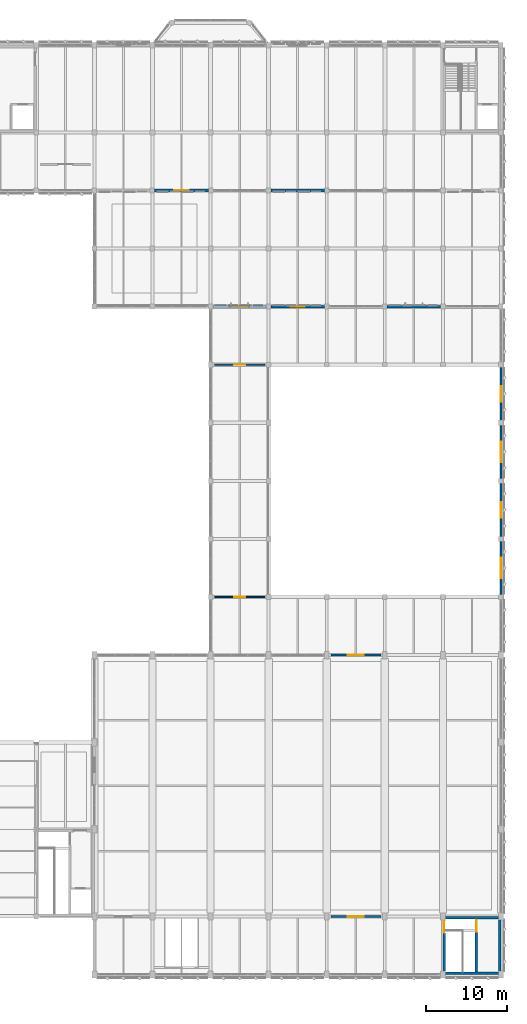
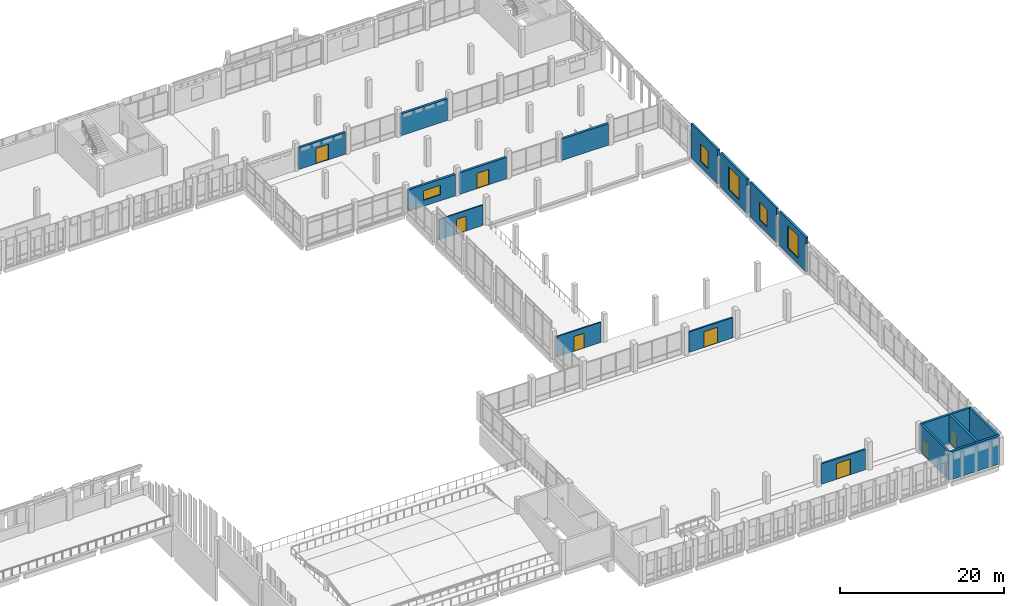
# One storey, part 136 of 158: 18 walls, 8 doors, 5 windows, 13 openings.
"""IFC4 building model written with IfcOpenShell, lengths in metres."""

from ifc_helpers import new_model, si_unit, direction, frame, frame_2d, origin, place, context, subcontext, project, spatial, rectangle, extrude, material, layer, layer_set, type_object, element, fill, save


model = new_model("IFC4")

# Units and contexts
model_context = context("Model", 3, precision=1e-05, world=origin(), true_north=direction((0.0, 1.0)))
body_context = subcontext(model_context, "Body", "Model", "MODEL_VIEW")
ifc_project = project(units=[si_unit("LENGTHUNIT", "METRE"), si_unit("AREAUNIT", "SQUARE_METRE"), si_unit("VOLUMEUNIT", "CUBIC_METRE"), si_unit("PLANEANGLEUNIT", "RADIAN"), si_unit("MASSUNIT", "GRAM", prefix="KILO")], contexts=[model_context])

# Site, building, storey
site_placement = place(None, origin())
site = spatial("IfcSite", under=ifc_project, at=site_placement, CompositionType="ELEMENT")
building_placement = place(site_placement, origin())
building = spatial("IfcBuilding", under=site, at=building_placement, Name="Lusvemor Sports Hall", CompositionType="ELEMENT")
storey_placement = place(building_placement, frame((0.0, 0.0, 10.800048828125)))
storey = spatial("IfcBuildingStorey", under=building, at=storey_placement, Name="L02", CompositionType="ELEMENT", Elevation=10.800048828125)

# Wall, opening, window
ifc_material_1 = material(Name="Emerald polychrome glazed ceramic cladding on Concrete C40/50 backing", Category="concrete")
ifc_layer_1 = layer(ifc_material_1, 0.2900390625)
ifc_layer_set_1 = layer_set([ifc_layer_1], Name="Emerald polychrome glazed ceramic cladding on Concrete C40/50 backing")
wall_type_1 = type_object("IfcWallType", Name="EW_CLIMB_290", PredefinedType="STANDARD", material=ifc_layer_set_1)
wall_1_placement = place(storey_placement, frame((169.199951171875, 53.68408203125, 0.0), z_axis=(0.0, 0.0, 1.0), x_axis=(0.0, -1.0, 0.0)))
wall_1 = element("IfcWall", 1, at=wall_1_placement, inside=storey, type_object=wall_type_1, Name="Exterior Wall EW-V3E-L02-0", PredefinedType="STANDARD", context=body_context, shape_type="SweptSolid", body=[
    extrude(rectangle(XDim=6.568115234375, YDim=0.2900390625, at=frame_2d((3.2841796875, 0.0))), origin(), (0.0, 0.0, 1.0), 5.159423828125),
])
opening_1_placement = place(wall_1_placement, frame((2.02392578125, 0.0, 0.89990234375)))
opening_1 = element("IfcOpeningElement", 2, at=opening_1_placement, cuts=wall_1, Name="Opening WN22", PredefinedType="OPENING", context=body_context, shape_type="SweptSolid", body=[
    extrude(rectangle(XDim=2.52001953125, YDim=3.320068359375, at=frame_2d((1.260009765625, 1.66015625))), frame((0.0, 0.14501953125, 0.0), z_axis=(0.0, -1.0, 0.0), x_axis=(1.0, 0.0, 0.0)), (0.0, 0.0, 1.0), 0.2900390625),
])
ifc_material_2 = material(Name="Solar-control laminated double glazing", Category="glass")
window_type_1 = type_object("IfcWindowType", Name="WIN_22", PartitioningType="SINGLE_PANEL", PredefinedType="WINDOW", material=ifc_material_2)
window_1_placement = place(opening_1_placement, origin())
window_1 = element("IfcWindow", 3, at=window_1_placement, inside=storey, type_object=window_type_1, Name="Climbing Hall East Window L02-0", OverallHeight=3.320068359375, OverallWidth=2.52001953125, PartitioningType="SINGLE_PANEL", PredefinedType="WINDOW", context=body_context, shape_type="SweptSolid", body=[
    extrude(rectangle(XDim=2.52001953125, YDim=3.320068359375, at=frame_2d((1.260009765625, 1.66015625))), frame((0.0, 0.030029296875, 0.0), z_axis=(0.0, -1.0, 0.0), x_axis=(1.0, 0.0, 0.0)), (0.0, 0.0, 1.0), 0.06005859375),
])
fill(opening_1, window_1)

wall_2_placement = place(storey_placement, frame((169.199951171875, 60.884033203125, 0.0), z_axis=(0.0, 0.0, 1.0), x_axis=(0.0, -1.0, 0.0)))
wall_2 = element("IfcWall", 4, at=wall_2_placement, inside=storey, type_object=wall_type_1, Name="Exterior Wall EW-V3E-L02-1", PredefinedType="STANDARD", context=body_context, shape_type="SweptSolid", body=[
    extrude(rectangle(XDim=6.568115234375, YDim=0.2900390625, at=frame_2d((3.2841796875, 0.0))), origin(), (0.0, 0.0, 1.0), 5.159423828125),
])
opening_2_placement = place(wall_2_placement, frame((2.323974609375, 0.0, 0.89990234375)))
opening_2 = element("IfcOpeningElement", 5, at=opening_2_placement, cuts=wall_2, Name="Opening WN23", PredefinedType="OPENING", context=body_context, shape_type="SweptSolid", body=[
    extrude(rectangle(XDim=1.919921875, YDim=2.6201171875, at=frame_2d((0.9599609375, 1.31005859375))), frame((0.0, 0.14501953125, 0.0), z_axis=(0.0, -1.0, 0.0), x_axis=(1.0, 0.0, 0.0)), (0.0, 0.0, 1.0), 0.2900390625),
])
ifc_material_3 = material(Name="Solar-control laminated double glazing", Category="glass")
window_type_2 = type_object("IfcWindowType", Name="WIN_23", PartitioningType="SINGLE_PANEL", PredefinedType="WINDOW", material=ifc_material_3)
window_2_placement = place(opening_2_placement, origin())
window_2 = element("IfcWindow", 6, at=window_2_placement, inside=storey, type_object=window_type_2, Name="Climbing Hall East Window L02-1", OverallHeight=2.6201171875, OverallWidth=1.919921875, PartitioningType="SINGLE_PANEL", PredefinedType="WINDOW", context=body_context, shape_type="SweptSolid", body=[
    extrude(rectangle(XDim=1.919921875, YDim=2.6201171875, at=frame_2d((0.9599609375, 1.31005859375))), frame((0.0, 0.030029296875, 0.0), z_axis=(0.0, -1.0, 0.0), x_axis=(1.0, 0.0, 0.0)), (0.0, 0.0, 1.0), 0.06005859375),
])
fill(opening_2, window_2)

wall_3_placement = place(storey_placement, frame((169.199951171875, 68.083984375, 0.0), z_axis=(0.0, 0.0, 1.0), x_axis=(0.0, -1.0, 0.0)))
wall_3 = element("IfcWall", 7, at=wall_3_placement, inside=storey, type_object=wall_type_1, Name="Exterior Wall EW-V3E-L02-2", PredefinedType="STANDARD", context=body_context, shape_type="SweptSolid", body=[
    extrude(rectangle(XDim=6.56787109375, YDim=0.2900390625, at=frame_2d((3.283935546875, 0.0))), origin(), (0.0, 0.0, 1.0), 5.159423828125),
])
opening_3_placement = place(wall_3_placement, frame((2.02392578125, 0.0, 0.89990234375)))
opening_3 = element("IfcOpeningElement", 8, at=opening_3_placement, cuts=wall_3, Name="Opening WN22", PredefinedType="OPENING", context=body_context, shape_type="SweptSolid", body=[
    extrude(rectangle(XDim=2.52001953125, YDim=3.320068359375, at=frame_2d((1.260009765625, 1.66015625))), frame((0.0, 0.14501953125, 0.0), z_axis=(0.0, -1.0, 0.0), x_axis=(1.0, 0.0, 0.0)), (0.0, 0.0, 1.0), 0.2900390625),
])
window_3_placement = place(opening_3_placement, origin())
window_3 = element("IfcWindow", 9, at=window_3_placement, inside=storey, type_object=window_type_1, Name="Climbing Hall East Window L02-2", OverallHeight=3.320068359375, OverallWidth=2.52001953125, PartitioningType="SINGLE_PANEL", PredefinedType="WINDOW", context=body_context, shape_type="SweptSolid", body=[
    extrude(rectangle(XDim=2.52001953125, YDim=3.320068359375, at=frame_2d((1.260009765625, 1.66015625))), frame((0.0, 0.030029296875, 0.0), z_axis=(0.0, -1.0, 0.0), x_axis=(1.0, 0.0, 0.0)), (0.0, 0.0, 1.0), 0.06005859375),
])
fill(opening_3, window_3)

wall_4_placement = place(storey_placement, frame((169.199951171875, 75.283935546875, 0.0), z_axis=(0.0, 0.0, 1.0), x_axis=(0.0, -1.0, 0.0)))
wall_4 = element("IfcWall", 10, at=wall_4_placement, inside=storey, type_object=wall_type_1, Name="Exterior Wall EW-V3E-L02-3", PredefinedType="STANDARD", context=body_context, shape_type="SweptSolid", body=[
    extrude(rectangle(XDim=6.56787109375, YDim=0.2900390625, at=frame_2d((3.283935546875, 0.0))), origin(), (0.0, 0.0, 1.0), 5.159423828125),
])
opening_4_placement = place(wall_4_placement, frame((2.323974609375, 0.0, 0.89990234375)))
opening_4 = element("IfcOpeningElement", 11, at=opening_4_placement, cuts=wall_4, Name="Opening WN23", PredefinedType="OPENING", context=body_context, shape_type="SweptSolid", body=[
    extrude(rectangle(XDim=1.919921875, YDim=2.6201171875, at=frame_2d((0.9599609375, 1.31005859375))), frame((0.0, 0.14501953125, 0.0), z_axis=(0.0, -1.0, 0.0), x_axis=(1.0, 0.0, 0.0)), (0.0, 0.0, 1.0), 0.2900390625),
])
window_4_placement = place(opening_4_placement, origin())
window_4 = element("IfcWindow", 12, at=window_4_placement, inside=storey, type_object=window_type_2, Name="Climbing Hall East Window L02-3", OverallHeight=2.6201171875, OverallWidth=1.919921875, PartitioningType="SINGLE_PANEL", PredefinedType="WINDOW", context=body_context, shape_type="SweptSolid", body=[
    extrude(rectangle(XDim=1.919921875, YDim=2.6201171875, at=frame_2d((0.9599609375, 1.31005859375))), frame((0.0, 0.030029296875, 0.0), z_axis=(0.0, -1.0, 0.0), x_axis=(1.0, 0.0, 0.0)), (0.0, 0.0, 1.0), 0.06005859375),
])
fill(opening_4, window_4)

# Wall, opening, door
ifc_material_4 = material(Name="Warm terracotta Art Nouveau ceramic cladding on Concrete C40/50 backing", Category="masonry")
ifc_layer_2 = layer(ifc_material_4, 0.31494140625)
ifc_layer_set_2 = layer_set([ifc_layer_2], Name="Warm terracotta Art Nouveau ceramic cladding on Concrete C40/50 backing")
wall_type_2 = type_object("IfcWallType", Name="EW_WING_CAV_315", PredefinedType="STANDARD", material=ifc_layer_set_2)
wall_5_placement = place(storey_placement, frame((132.924072265625, 97.199951171875, 0.0), z_axis=(0.0, 0.0, 1.0), x_axis=(-1.0, 0.0, 0.0)))
wall_5 = element("IfcWall", 13, at=wall_5_placement, inside=storey, type_object=wall_type_2, Name="Exterior Wall EW-L02-S-3-11", PredefinedType="STANDARD", context=body_context, shape_type="SweptSolid", body=[
    extrude(rectangle(XDim=6.648193359375, YDim=0.31494140625, at=frame_2d((3.32421875, 0.0))), origin(), (0.0, 0.0, 1.0), 3.239990234375),
])
opening_5_placement = place(wall_5_placement, frame((2.43408203125, 0.0, 0.0)))
opening_5 = element("IfcOpeningElement", 14, at=opening_5_placement, cuts=wall_5, Name="Opening ED07", PredefinedType="OPENING", context=body_context, shape_type="SweptSolid", body=[
    extrude(rectangle(XDim=1.780029296875, YDim=2.320068359375, at=frame_2d((0.89013671875, 1.16015625))), frame((0.0, 0.157470703125, 0.0), z_axis=(0.0, -1.0, 0.0), x_axis=(1.0, 0.0, 0.0)), (0.0, 0.0, 1.0), 0.31494140625),
])
ifc_material_5 = material(Name="Thermally broken bronze-anodized aluminium", Category="aluminium")
door_type_1 = type_object("IfcDoorType", Name="EDR_TERR_178x232", OperationType="NOTDEFINED", PredefinedType="DOOR", material=ifc_material_5)
door_1_placement = place(opening_5_placement, origin())
door_1 = element("IfcDoor", 15, at=door_1_placement, inside=storey, type_object=door_type_1, Name="DR-031", OperationType="SINGLE_SWING_LEFT", OverallHeight=2.320068359375, OverallWidth=1.780029296875, PredefinedType="DOOR", context=body_context, shape_type="SweptSolid", body=[
    extrude(rectangle(XDim=1.780029296875, YDim=2.320068359375, at=frame_2d((0.89013671875, 1.16015625))), frame((0.0, 0.02490234375, 0.0), z_axis=(0.0, -1.0, 0.0), x_axis=(1.0, 0.0, 0.0)), (0.0, 0.0, 1.0), 0.050048828125),
])
fill(opening_5, door_1)

# Wall
wall_6_placement = place(storey_placement, frame((147.303955078125, 97.199951171875, 0.0), z_axis=(0.0, 0.0, 1.0), x_axis=(-1.0, 0.0, 0.0)))
element("IfcWall", 16, at=wall_6_placement, inside=storey, type_object=wall_type_2, Name="Exterior Wall EW-L02-S-3-13", PredefinedType="STANDARD", context=body_context, shape_type="SweptSolid", body=[
    extrude(rectangle(XDim=6.60791015625, YDim=0.31494140625, at=frame_2d((3.303955078125, 0.0))), origin(), (0.0, 0.0, 1.0), 3.239990234375),
])

# Wall, opening, window
wall_7_placement = place(storey_placement, frame((133.47607421875, 82.800048828125, 0.0), z_axis=(0.0, 0.0, 1.0), x_axis=(1.0, 0.0, 0.0)))
wall_7 = element("IfcWall", 17, at=wall_7_placement, inside=storey, type_object=wall_type_2, Name="Exterior Wall EW-L02-N-4-0", PredefinedType="STANDARD", context=body_context, shape_type="SweptSolid", body=[
    extrude(rectangle(XDim=6.6279296875, YDim=0.31494140625, at=frame_2d((3.31396484375, 0.0))), origin(), (0.0, 0.0, 1.0), 3.204833984375),
])
opening_6_placement = place(wall_7_placement, frame((2.134033203125, 0.0, 0.89990234375)))
opening_6 = element("IfcOpeningElement", 18, at=opening_6_placement, cuts=wall_7, Name="Opening WN19", PredefinedType="OPENING", context=body_context, shape_type="SweptSolid", body=[
    extrude(rectangle(XDim=2.3798828125, YDim=1.419921875, at=frame_2d((1.18994140625, 0.7099609375))), frame((0.0, 0.157470703125, 0.0), z_axis=(0.0, -1.0, 0.0), x_axis=(1.0, 0.0, 0.0)), (0.0, 0.0, 1.0), 0.31494140625),
])
ifc_material_6 = material(Name="Solar-control laminated double glazing", Category="glass")
window_type_3 = type_object("IfcWindowType", Name="WIN_19", PartitioningType="SINGLE_PANEL", PredefinedType="WINDOW", material=ifc_material_6)
window_5_placement = place(opening_6_placement, origin())
window_5 = element("IfcWindow", 19, at=window_5_placement, inside=storey, type_object=window_type_3, Name="Wing Window L02-N-4-0", OverallHeight=1.419921875, OverallWidth=2.3798828125, PartitioningType="SINGLE_PANEL", PredefinedType="WINDOW", context=body_context, shape_type="SweptSolid", body=[
    extrude(rectangle(XDim=2.3798828125, YDim=1.419921875, at=frame_2d((1.18994140625, 0.7099609375))), frame((0.0, 0.030029296875, 0.0), z_axis=(0.0, -1.0, 0.0), x_axis=(1.0, 0.0, 0.0)), (0.0, 0.0, 1.0), 0.06005859375),
])
fill(opening_6, window_5)

# Wall, opening, door
wall_8_placement = place(storey_placement, frame((140.696044921875, 82.800048828125, 0.0), z_axis=(0.0, 0.0, 1.0), x_axis=(1.0, 0.0, 0.0)))
wall_8 = element("IfcWall", 20, at=wall_8_placement, inside=storey, type_object=wall_type_2, Name="Exterior Wall EW-L02-N-4-1", PredefinedType="STANDARD", context=body_context, shape_type="SweptSolid", body=[
    extrude(rectangle(XDim=6.60791015625, YDim=0.31494140625, at=frame_2d((3.303955078125, 0.0))), origin(), (0.0, 0.0, 1.0), 3.204833984375),
])
opening_7_placement = place(wall_8_placement, frame((2.444091796875, 0.0, 0.0)))
opening_7 = element("IfcOpeningElement", 21, at=opening_7_placement, cuts=wall_8, Name="Opening ED13", PredefinedType="OPENING", context=body_context, shape_type="SweptSolid", body=[
    extrude(rectangle(XDim=1.719970703125, YDim=2.280029296875, at=frame_2d((0.85986328125, 1.14013671875))), frame((0.0, 0.157470703125, 0.0), z_axis=(0.0, -1.0, 0.0), x_axis=(1.0, 0.0, 0.0)), (0.0, 0.0, 1.0), 0.31494140625),
])
ifc_material_7 = material(Name="Thermally broken bronze-anodized aluminium", Category="aluminium")
door_type_2 = type_object("IfcDoorType", Name="EDR_PROM_172x228", OperationType="NOTDEFINED", PredefinedType="DOOR", material=ifc_material_7)
door_2_placement = place(opening_7_placement, origin())
door_2 = element("IfcDoor", 22, at=door_2_placement, inside=storey, type_object=door_type_2, Name="DR-032", OperationType="SINGLE_SWING_RIGHT", OverallHeight=2.280029296875, OverallWidth=1.719970703125, PredefinedType="DOOR", context=body_context, shape_type="SweptSolid", body=[
    extrude(rectangle(XDim=1.719970703125, YDim=2.280029296875, at=frame_2d((0.85986328125, 1.14013671875))), frame((0.0, 0.02490234375, 0.0), z_axis=(0.0, -1.0, 0.0), x_axis=(1.0, 0.0, 0.0)), (0.0, 0.0, 1.0), 0.050048828125),
])
fill(opening_7, door_2)

# Wall
wall_9_placement = place(storey_placement, frame((155.095947265625, 82.800048828125, 0.0), z_axis=(0.0, 0.0, 1.0), x_axis=(1.0, 0.0, 0.0)))
element("IfcWall", 23, at=wall_9_placement, inside=storey, type_object=wall_type_2, Name="Exterior Wall EW-L02-N-4-3", PredefinedType="STANDARD", context=body_context, shape_type="SweptSolid", body=[
    extrude(rectangle(XDim=6.608154296875, YDim=0.31494140625, at=frame_2d((3.30419921875, 0.0))), origin(), (0.0, 0.0, 1.0), 3.204833984375),
])

# Wall, opening, door
ifc_material_8 = material(Name="Plastered ceramic masonry blockwork", Category="masonry")
ifc_layer_3 = layer(ifc_material_8, 0.219970703125)
ifc_layer_set_3 = layer_set([ifc_layer_3], Name="Plastered ceramic masonry blockwork")
wall_type_3 = type_object("IfcWallType", Name="IW_COMP_224", PredefinedType="STANDARD", material=ifc_layer_set_3)
wall_10_placement = place(storey_placement, frame((148.10009765625, 39.60009765625, 0.0), z_axis=(0.0, 0.0, 1.0), x_axis=(1.0, 0.0, 0.0)))
wall_10 = element("IfcWall", 24, at=wall_10_placement, inside=storey, type_object=wall_type_3, Name="Partition IW-L02-C3N-LINK", PredefinedType="STANDARD", context=body_context, shape_type="SweptSolid", body=[
    extrude(rectangle(XDim=6.199951171875, YDim=0.219970703125, at=frame_2d((3.10009765625, 0.0))), origin(), (0.0, 0.0, 1.0), 3.0400390625),
])
opening_8_placement = place(wall_10_placement, frame((2.1201171875, 0.0, 0.0)))
opening_8 = element("IfcOpeningElement", 25, at=opening_8_placement, cuts=wall_10, Name="Opening ID02", PredefinedType="OPENING", context=body_context, shape_type="SweptSolid", body=[
    extrude(rectangle(XDim=1.9599609375, YDim=2.360107421875, at=frame_2d((0.97998046875, 1.18017578125))), frame((0.0, 0.10986328125, 0.0), z_axis=(0.0, -1.0, 0.0), x_axis=(1.0, 0.0, 0.0)), (0.0, 0.0, 1.0), 0.219970703125),
])
ifc_material_9 = material(Name="Acoustic solid-core hardwood door leaf in steel frame", Category="steel")
door_type_3 = type_object("IfcDoorType", Name="IDR_COURT_DBL_196", OperationType="NOTDEFINED", PredefinedType="DOOR", material=ifc_material_9)
door_3_placement = place(opening_8_placement, origin())
door_3 = element("IfcDoor", 26, at=door_3_placement, inside=storey, type_object=door_type_3, Name="DR-188", OperationType="SINGLE_SWING_RIGHT", OverallHeight=2.360107421875, OverallWidth=1.9599609375, PredefinedType="DOOR", context=body_context, shape_type="SweptSolid", body=[
    extrude(rectangle(XDim=1.9599609375, YDim=2.360107421875, at=frame_2d((0.97998046875, 1.18017578125))), frame((0.0, 0.02490234375, 0.0), z_axis=(0.0, -1.0, 0.0), x_axis=(1.0, 0.0, 0.0)), (0.0, 0.0, 1.0), 0.050048828125),
])
fill(opening_8, door_3)

ifc_material_10 = material(Name="Plastered ceramic masonry blockwork", Category="masonry")
ifc_layer_4 = layer(ifc_material_10, 0.25)
ifc_layer_set_4 = layer_set([ifc_layer_4], Name="Plastered ceramic masonry blockwork")
wall_type_4 = type_object("IfcWallType", Name="IW_COMP_248", PredefinedType="STANDARD", material=ifc_layer_set_4)
wall_11_placement = place(storey_placement, frame((148.10009765625, 7.199951171875, 0.0), z_axis=(0.0, 0.0, 1.0), x_axis=(1.0, 0.0, 0.0)))
wall_11 = element("IfcWall", 27, at=wall_11_placement, inside=storey, type_object=wall_type_4, Name="Partition IW-L02-C3S-2", PredefinedType="STANDARD", context=body_context, shape_type="SweptSolid", body=[
    extrude(rectangle(XDim=6.199951171875, YDim=0.25, at=frame_2d((3.10009765625, 0.0))), origin(), (0.0, 0.0, 1.0), 3.0400390625),
])
opening_9_placement = place(wall_11_placement, frame((2.1201171875, 0.0, 0.0)))
opening_9 = element("IfcOpeningElement", 28, at=opening_9_placement, cuts=wall_11, Name="Opening ID02", PredefinedType="OPENING", context=body_context, shape_type="SweptSolid", body=[
    extrude(rectangle(XDim=1.9599609375, YDim=2.360107421875, at=frame_2d((0.97998046875, 1.18017578125))), frame((0.0, 0.125, 0.0), z_axis=(0.0, -1.0, 0.0), x_axis=(1.0, 0.0, 0.0)), (0.0, 0.0, 1.0), 0.25),
])
door_4_placement = place(opening_9_placement, origin())
door_4 = element("IfcDoor", 29, at=door_4_placement, inside=storey, type_object=door_type_3, Name="DR-187", OperationType="SINGLE_SWING_LEFT", OverallHeight=2.360107421875, OverallWidth=1.9599609375, PredefinedType="DOOR", context=body_context, shape_type="SweptSolid", body=[
    extrude(rectangle(XDim=1.9599609375, YDim=2.360107421875, at=frame_2d((0.97998046875, 1.18017578125))), frame((0.0, 0.02490234375, 0.0), z_axis=(0.0, -1.0, 0.0), x_axis=(1.0, 0.0, 0.0)), (0.0, 0.0, 1.0), 0.050048828125),
])
fill(opening_9, door_4)

ifc_material_11 = material(Name="Double-leaf acoustic gypsum board on metal studs")
ifc_layer_5 = layer(ifc_material_11, 0.169921875)
ifc_layer_set_5 = layer_set([ifc_layer_5], Name="Double-leaf acoustic gypsum board on metal studs")
wall_type_5 = type_object("IfcWallType", Name="IW_CORR_168", PredefinedType="STANDARD", material=ifc_layer_set_5)
wall_12_placement = place(storey_placement, frame((133.699951171875, 75.60009765625, 0.0), z_axis=(0.0, 0.0, 1.0), x_axis=(1.0, 0.0, 0.0)))
wall_12 = element("IfcWall", 30, at=wall_12_placement, inside=storey, type_object=wall_type_5, Name="Partition IW-L02-V3-TOP", PredefinedType="STANDARD", context=body_context, shape_type="SweptSolid", body=[
    extrude(rectangle(XDim=6.199951171875, YDim=0.169921875, at=frame_2d((3.10009765625, 0.0))), origin(), (0.0, 0.0, 1.0), 3.0400390625),
])
opening_10_placement = place(wall_12_placement, frame((2.409912109375, 0.0, 0.0)))
opening_10 = element("IfcOpeningElement", 31, at=opening_10_placement, cuts=wall_12, Name="Opening ID25", PredefinedType="OPENING", context=body_context, shape_type="SweptSolid", body=[
    extrude(rectangle(XDim=1.3798828125, YDim=2.199951171875, at=frame_2d((0.68994140625, 1.10009765625))), frame((0.0, 0.0849609375, 0.0), z_axis=(0.0, -1.0, 0.0), x_axis=(1.0, 0.0, 0.0)), (0.0, 0.0, 1.0), 0.169921875),
])
ifc_material_12 = material(Name="Acoustic solid-core hardwood door leaf in steel frame", Category="steel")
door_type_4 = type_object("IfcDoorType", Name="IDR_CLIMB_G2_138", OperationType="NOTDEFINED", PredefinedType="DOOR", material=ifc_material_12)
door_5_placement = place(opening_10_placement, origin())
door_5 = element("IfcDoor", 32, at=door_5_placement, inside=storey, type_object=door_type_4, Name="DR-189", OperationType="SINGLE_SWING_LEFT", OverallHeight=2.199951171875, OverallWidth=1.3798828125, PredefinedType="DOOR", context=body_context, shape_type="SweptSolid", body=[
    extrude(rectangle(XDim=1.3798828125, YDim=2.199951171875, at=frame_2d((0.68994140625, 1.10009765625))), frame((0.0, 0.02490234375, 0.0), z_axis=(0.0, -1.0, 0.0), x_axis=(1.0, 0.0, 0.0)), (0.0, 0.0, 1.0), 0.050048828125),
])
fill(opening_10, door_5)

wall_13_placement = place(storey_placement, frame((133.699951171875, 46.800048828125, 0.0), z_axis=(0.0, 0.0, 1.0), x_axis=(1.0, 0.0, 0.0)))
wall_13 = element("IfcWall", 33, at=wall_13_placement, inside=storey, type_object=wall_type_5, Name="Partition IW-L02-ELINK-V3", PredefinedType="STANDARD", context=body_context, shape_type="SweptSolid", body=[
    extrude(rectangle(XDim=6.199951171875, YDim=0.169921875, at=frame_2d((3.10009765625, 0.0))), origin(), (0.0, 0.0, 1.0), 3.0400390625),
])
opening_11_placement = place(wall_13_placement, frame((2.409912109375, 0.0, 0.0)))
opening_11 = element("IfcOpeningElement", 34, at=opening_11_placement, cuts=wall_13, Name="Opening ID25", PredefinedType="OPENING", context=body_context, shape_type="SweptSolid", body=[
    extrude(rectangle(XDim=1.3798828125, YDim=2.199951171875, at=frame_2d((0.68994140625, 1.10009765625))), frame((0.0, 0.0849609375, 0.0), z_axis=(0.0, -1.0, 0.0), x_axis=(1.0, 0.0, 0.0)), (0.0, 0.0, 1.0), 0.169921875),
])
door_6_placement = place(opening_11_placement, origin())
door_6 = element("IfcDoor", 35, at=door_6_placement, inside=storey, type_object=door_type_4, Name="DR-197", OperationType="SINGLE_SWING_LEFT", OverallHeight=2.199951171875, OverallWidth=1.3798828125, PredefinedType="DOOR", context=body_context, shape_type="SweptSolid", body=[
    extrude(rectangle(XDim=1.3798828125, YDim=2.199951171875, at=frame_2d((0.68994140625, 1.10009765625))), frame((0.0, 0.02490234375, 0.0), z_axis=(0.0, -1.0, 0.0), x_axis=(1.0, 0.0, 0.0)), (0.0, 0.0, 1.0), 0.050048828125),
])
fill(opening_11, door_6)

# Wall
ifc_material_13 = material(Name="Concrete C40/50", Category="concrete")
ifc_layer_6 = layer(ifc_material_13, 0.300048828125)
ifc_layer_set_6 = layer_set([ifc_layer_6], Name="Concrete C40/50")
wall_type_6 = type_object("IfcWallType", Name="WALL_CORE_300_INT", PredefinedType="SHEAR", material=ifc_layer_set_6)
wall_14_placement = place(storey_placement, frame((162.0, 7.050048828125, 0.0), z_axis=(0.0, 0.0, 1.0), x_axis=(1.0, 0.0, 0.0)))
element("IfcWall", 36, at=wall_14_placement, inside=storey, type_object=wall_type_6, Name="Core C8 Southeast Stacked Shear Wall N (L02)", PredefinedType="SHEAR", context=body_context, shape_type="SweptSolid", body=[
    extrude(rectangle(XDim=7.199951171875, YDim=0.300048828125, at=frame_2d((3.60009765625, 0.0))), origin(), (0.0, 0.0, 1.0), 4.199951171875),
])

# Wall, opening, door
wall_15_placement = place(storey_placement, frame((162.14990234375, 0.300048828125, 0.0), z_axis=(0.0, 0.0, 1.0), x_axis=(0.0, 1.0, 0.0)))
wall_15 = element("IfcWall", 37, at=wall_15_placement, inside=storey, type_object=wall_type_6, Name="Core C8 Southeast Stacked Shear Wall W (L02)", PredefinedType="SHEAR", context=body_context, shape_type="SweptSolid", body=[
    extrude(rectangle(XDim=6.599853515625, YDim=0.300048828125, at=frame_2d((3.2998046875, 0.0))), origin(), (0.0, 0.0, 1.0), 4.199951171875),
])
opening_12_placement = place(wall_15_placement, frame((4.860107421875, 0.0, 0.0)))
opening_12 = element("IfcOpeningElement", 38, at=opening_12_placement, cuts=wall_15, Name="Opening DR-FD60-01", PredefinedType="OPENING", context=body_context, shape_type="SweptSolid", body=[
    extrude(rectangle(XDim=1.5400390625, YDim=2.219970703125, at=frame_2d((0.77001953125, 1.10986328125))), frame((0.0, 0.14990234375, 0.0), z_axis=(0.0, -1.0, 0.0), x_axis=(1.0, 0.0, 0.0)), (0.0, 0.0, 1.0), 0.300048828125),
])
ifc_material_14 = material(Name="Fire-rated insulated painted steel door assembly", Category="steel")
door_type_5 = type_object("IfcDoorType", Name="IDR_LOBBY_FD60_154", OperationType="NOTDEFINED", PredefinedType="DOOR", material=ifc_material_14)
door_7_placement = place(opening_12_placement, origin())
door_7 = element("IfcDoor", 39, at=door_7_placement, inside=storey, type_object=door_type_5, Name="DR-130", OperationType="SINGLE_SWING_LEFT", OverallHeight=2.219970703125, OverallWidth=1.5400390625, PredefinedType="DOOR", context=body_context, shape_type="SweptSolid", body=[
    extrude(rectangle(XDim=1.5400390625, YDim=2.219970703125, at=frame_2d((0.77001953125, 1.10986328125))), frame((0.0, 0.02490234375, 0.0), z_axis=(0.0, -1.0, 0.0), x_axis=(1.0, 0.0, 0.0)), (0.0, 0.0, 1.0), 0.050048828125),
])
fill(opening_12, door_7)

# Wall
wall_16_placement = place(storey_placement, frame((169.050048828125, 6.89990234375, 0.0), z_axis=(0.0, 0.0, 1.0), x_axis=(0.0, -1.0, 0.0)))
element("IfcWall", 40, at=wall_16_placement, inside=storey, type_object=wall_type_6, Name="Core C8 Southeast Stacked Shear Wall E (L02)", PredefinedType="SHEAR", context=body_context, shape_type="SweptSolid", body=[
    extrude(rectangle(XDim=6.599853515625, YDim=0.300048828125, at=frame_2d((3.2998046875, 0.0))), origin(), (0.0, 0.0, 1.0), 4.199951171875),
])

# Wall, opening, door
wall_17_placement = place(storey_placement, frame((166.14990234375, 0.300048828125, 0.0), z_axis=(0.0, 0.0, 1.0), x_axis=(0.0, 1.0, 0.0)))
wall_17 = element("IfcWall", 41, at=wall_17_placement, inside=storey, type_object=wall_type_6, Name="Core C8 Southeast Stacked Shear Wall M (L02)", PredefinedType="SHEAR", context=body_context, shape_type="SweptSolid", body=[
    extrude(rectangle(XDim=6.599853515625, YDim=0.300048828125, at=frame_2d((3.2998046875, 0.0))), origin(), (0.0, 0.0, 1.0), 4.199951171875),
])
opening_13_placement = place(wall_17_placement, frame((5.030029296875, 0.0, 0.0)))
opening_13 = element("IfcOpeningElement", 42, at=opening_13_placement, cuts=wall_17, Name="Opening DR-FD90-01", PredefinedType="OPENING", context=body_context, shape_type="SweptSolid", body=[
    extrude(rectangle(XDim=1.419921875, YDim=2.199951171875, at=frame_2d((0.7099609375, 1.10009765625))), frame((0.0, 0.14990234375, 0.0), z_axis=(0.0, -1.0, 0.0), x_axis=(1.0, 0.0, 0.0)), (0.0, 0.0, 1.0), 0.300048828125),
])
ifc_material_15 = material(Name="Fire-rated insulated painted steel door assembly", Category="steel")
door_type_6 = type_object("IfcDoorType", Name="IDR_STAIR_FD90_142", OperationType="NOTDEFINED", PredefinedType="DOOR", material=ifc_material_15)
door_8_placement = place(opening_13_placement, origin())
door_8 = element("IfcDoor", 43, at=door_8_placement, inside=storey, type_object=door_type_6, Name="DR-129", OperationType="SINGLE_SWING_RIGHT", OverallHeight=2.199951171875, OverallWidth=1.419921875, PredefinedType="DOOR", context=body_context, shape_type="SweptSolid", body=[
    extrude(rectangle(XDim=1.419921875, YDim=2.199951171875, at=frame_2d((0.7099609375, 1.10009765625))), frame((0.0, 0.02490234375, 0.0), z_axis=(0.0, -1.0, 0.0), x_axis=(1.0, 0.0, 0.0)), (0.0, 0.0, 1.0), 0.050048828125),
])
fill(opening_13, door_8)

# Wall
ifc_material_16 = material(Name="Concrete C40/50", Category="concrete")
ifc_layer_7 = layer(ifc_material_16, 0.324951171875)
ifc_layer_set_7 = layer_set([ifc_layer_7], Name="Concrete C40/50")
wall_type_7 = type_object("IfcWallType", Name="WALL_CORE_325_EXT", PredefinedType="SHEAR", material=ifc_layer_set_7)
wall_18_placement = place(storey_placement, frame((169.199951171875, 0.14990234375, 0.0), z_axis=(0.0, 0.0, 1.0), x_axis=(-1.0, 0.0, 0.0)))
element("IfcWall", 44, at=wall_18_placement, inside=storey, type_object=wall_type_7, Name="Core C8 Southeast Stacked Shear Wall S (L02)", PredefinedType="SHEAR", context=body_context, shape_type="SweptSolid", body=[
    extrude(rectangle(XDim=7.199951171875, YDim=0.324951171875, at=frame_2d((3.60009765625, 0.0))), origin(), (0.0, 0.0, 1.0), 4.199951171875),
])

save(model, "model.ifc")
